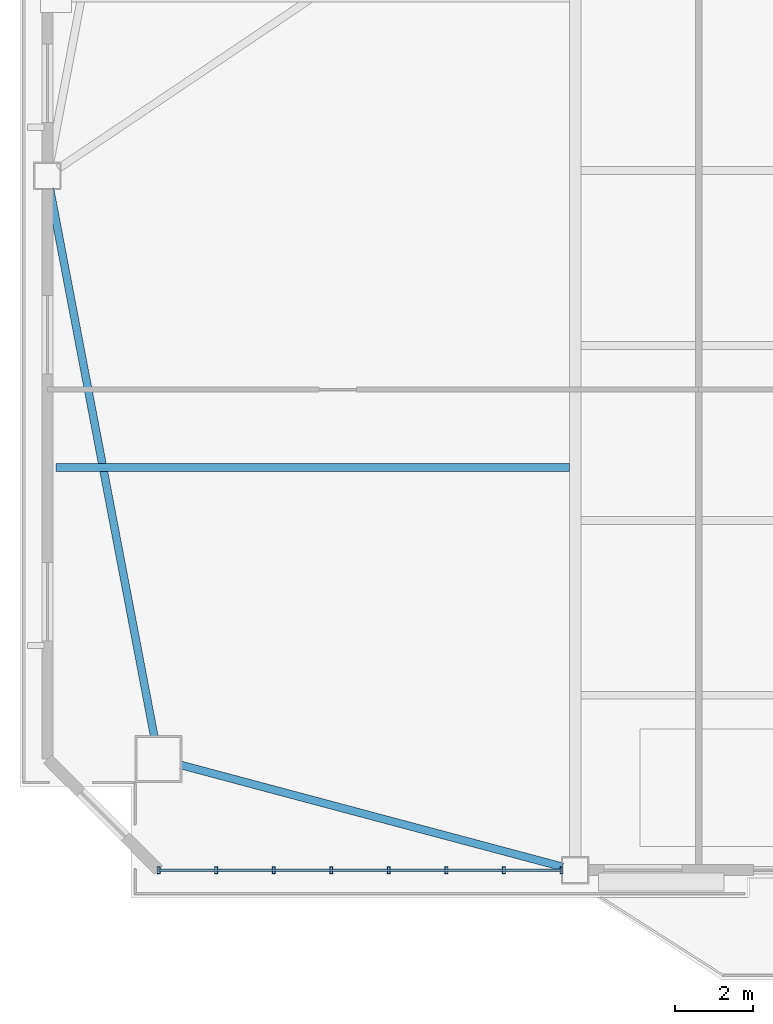
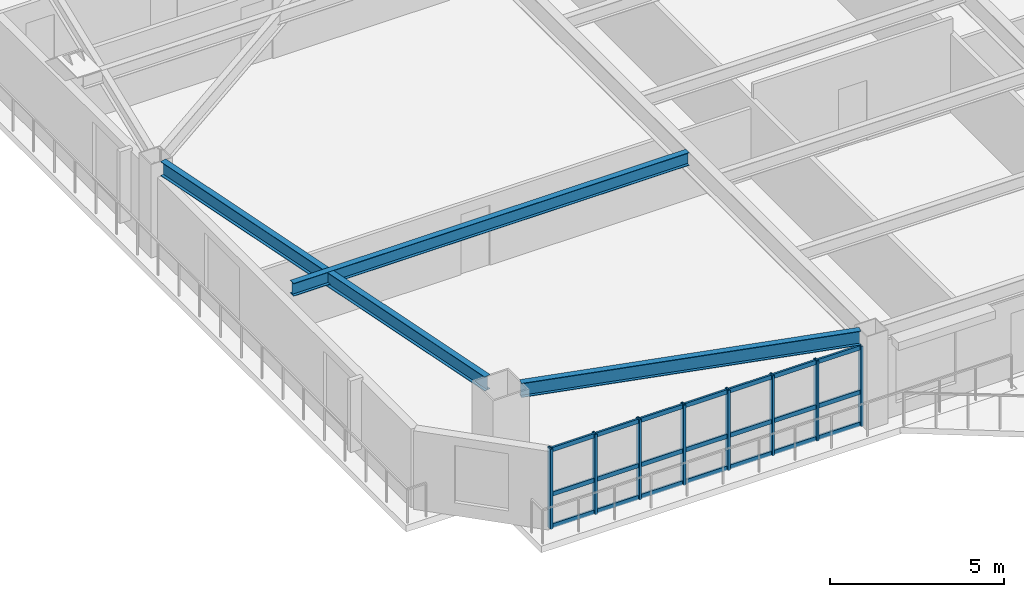
# One storey, part 2 of 17: 11 members, 3 beams, 1 element without a shape of its own.
"""IFC4 building model written with IfcOpenShell, lengths in metres."""

from ifc_helpers import new_model, si_unit, direction, frame, origin, origin_2d, place, context, subcontext, project, spatial, hollow_rectangle, i_section, extrude, source, transform, mapped, material, layer, layer_set, material_profile, profile_set, type_object, element, aggregate, save


model = new_model("IFC4")

# Units and contexts
model_context = context("Model", 3, precision=1e-05, world=origin(), true_north=direction((0.0, 1.0)))
body_context = subcontext(model_context, "Body", "Model", "MODEL_VIEW")
ifc_project = project(units=[si_unit("LENGTHUNIT", "METRE"), si_unit("AREAUNIT", "SQUARE_METRE"), si_unit("VOLUMEUNIT", "CUBIC_METRE"), si_unit("PLANEANGLEUNIT", "RADIAN"), si_unit("MASSUNIT", "GRAM", prefix="KILO")], contexts=[model_context])

# Site, building, storey
site_placement = place(None, origin())
site = spatial("IfcSite", under=ifc_project, at=site_placement, CompositionType="ELEMENT")
building_placement = place(site_placement, origin())
building = spatial("IfcBuilding", under=site, at=building_placement, Name="Giltprow Tower", CompositionType="ELEMENT")
storey_placement = place(building_placement, frame((0.0, 0.0, 195.699951171875)))
storey = spatial("IfcBuildingStorey", under=building, at=storey_placement, Name="L49", CompositionType="ELEMENT", Elevation=195.699951171875)

# Beams
ifc_material_1 = material(Name="Structural steel Q355B", Category="steel")
ifc_material_profile_1 = material_profile(ifc_material_1, i_section(OverallWidth=0.199951171875, OverallDepth=0.5, WebThickness=0.010009765625, FlangeThickness=0.01611328125, at=origin_2d()), Name="HN 500x200x10x16")
ifc_profile_set_1 = profile_set([ifc_material_profile_1], Name="Structural steel Q355B")
beam_type_1 = type_object("IfcBeamType", Name="BM-SPAN-HN500", PredefinedType="SPANDREL", material=ifc_profile_set_1)
shared_shape_1 = source(origin(), body_context, "Body", "SweptSolid", [
    extrude(i_section(OverallWidth=0.199951171875, OverallDepth=0.5, WebThickness=0.010009765625, FlangeThickness=0.01611328125, at=origin_2d()), origin(), (0.0, 0.0, 1.0), 10.077392578125),
])
beam_1_placement = place(storey_placement, frame((9.7890625, 13.364013671875, 3.02001953125), z_axis=(0.96619994808, -0.257793832995, 0.0), x_axis=(0.257793832995, 0.96619994808, 0.0)))
element("IfcBeam", 1, at=beam_1_placement, inside=storey, type_object=beam_type_1, Name="L49 Perimeter Spandrel Beam MC_SW-S1", PredefinedType="SPANDREL", context=body_context, shape_type="MappedRepresentation", body=[
    mapped(shared_shape_1, transform((0.0, 0.0, 0.0), x_axis=(1.0, 0.0, 0.0), y_axis=(0.0, 1.0, 0.0), z_axis=(0.0, 0.0, 1.0), scale=1.0)),
])
shared_shape_2 = source(origin(), body_context, "Body", "SweptSolid", [
    extrude(i_section(OverallWidth=0.199951171875, OverallDepth=0.5, WebThickness=0.010009765625, FlangeThickness=0.01611328125, at=origin_2d()), origin(), (0.0, 0.0, 1.0), 14.222412109375),
])
beam_2_placement = place(storey_placement, frame((6.451904296875, 28.06103515625, 3.02001953125), z_axis=(0.187178367581, -0.982325943213, 0.0), x_axis=(0.982325943213, 0.187178367581, 0.0)))
element("IfcBeam", 2, at=beam_2_placement, inside=storey, type_object=beam_type_1, Name="L49 Perimeter Spandrel Beam W_MID-MC_SW", PredefinedType="SPANDREL", context=body_context, shape_type="MappedRepresentation", body=[
    mapped(shared_shape_2, transform((0.0, 0.0, 0.0), x_axis=(1.0, 0.0, 0.0), y_axis=(0.0, 1.0, 0.0), z_axis=(0.0, 0.0, 1.0), scale=1.0)),
])
ifc_material_profile_2 = material_profile(ifc_material_1, i_section(OverallWidth=0.199951171875, OverallDepth=0.449951171875, WebThickness=0.009033203125, FlangeThickness=0.013916015625, at=origin_2d()), Name="HN 450x200x9x14")
ifc_profile_set_2 = profile_set([ifc_material_profile_2], Name="Structural steel Q355B")
beam_type_2 = type_object("IfcBeamType", Name="BM-JOIST-HN450", PredefinedType="JOIST", material=ifc_profile_set_2)
shared_shape_3 = source(origin(), body_context, "Body", "SweptSolid", [
    extrude(i_section(OverallWidth=0.199951171875, OverallDepth=0.449951171875, WebThickness=0.009033203125, FlangeThickness=0.013916015625, at=origin_2d()), origin(), (0.0, 0.0, 1.0), 13.09619140625),
])
beam_3_placement = place(storey_placement, frame((6.60888671875, 20.952880859375, 3.045166015625), z_axis=(1.0, 0.0, 0.0), x_axis=(0.0, 1.0, 0.0)))
element("IfcBeam", 3, at=beam_3_placement, inside=storey, type_object=beam_type_2, Name="L49 West Wing Floor Joist 1", PredefinedType="JOIST", context=body_context, shape_type="MappedRepresentation", body=[
    mapped(shared_shape_3, transform((0.0, 0.0, 0.0), x_axis=(1.0, 0.0, 0.0), y_axis=(0.0, 1.0, 0.0), z_axis=(0.0, 0.0, 1.0), scale=1.0)),
])

# Curtain wall, members
ifc_material_2 = material(Name="Anodized bronze", Category="metal")
ifc_layer = layer(ifc_material_2, 0.179931640625, Name="Anodized bronze")
ifc_layer_set = layer_set([ifc_layer], Name="Anodized bronze")
curtain_wall_type = type_object("IfcCurtainWallType", Name="CW-HTL-BRONZE", PredefinedType="NOTDEFINED", material=ifc_layer_set)
curtain_wall_placement = place(storey_placement, origin())
curtain_wall = element("IfcCurtainWall", 4, at=curtain_wall_placement, inside=storey, type_object=curtain_wall_type, Name="L49 South Recessed Curtain Wall 1", PredefinedType="NOTDEFINED")
ifc_material_profile_3 = material_profile(ifc_material_2, hollow_rectangle(XDim=0.074951171875, YDim=0.179931640625, WallThickness=0.008056640625, at=origin_2d()), Name="RHS 180x75x8")
ifc_profile_set_3 = profile_set([ifc_material_profile_3], Name="Anodized bronze")
member_type_1 = type_object("IfcMemberType", Name="CW-MULLION-180x75", PredefinedType="MULLION", material=ifc_profile_set_3)
shared_shape_4 = source(origin(), body_context, "Body", "SweptSolid", [
    extrude(hollow_rectangle(XDim=0.074951171875, YDim=0.179931640625, WallThickness=0.008056640625, at=origin_2d()), origin(), (0.0, 0.0, 1.0), 2.80517578125),
])
member_1_placement = place(storey_placement, frame((9.22412109375, 10.679931640625, -0.02001953125), z_axis=(0.0, 0.0, 1.0), x_axis=(1.0, 0.0, 0.0)))
member_1 = element("IfcMember", 5, at=member_1_placement, type_object=member_type_1, Name="L49 South Recessed Curtain Wall 1 Mullion 1", PredefinedType="MULLION", context=body_context, shape_type="MappedRepresentation", body=[
    mapped(shared_shape_4, transform((0.0, 0.0, 0.0), x_axis=(1.0, 0.0, 0.0), y_axis=(0.0, 1.0, 0.0), z_axis=(0.0, 0.0, 1.0), scale=1.0)),
])
member_2_placement = place(storey_placement, frame((10.69189453125, 10.679931640625, -0.02001953125), z_axis=(0.0, 0.0, 1.0), x_axis=(1.0, 0.0, 0.0)))
member_2 = element("IfcMember", 6, at=member_2_placement, type_object=member_type_1, Name="L49 South Recessed Curtain Wall 1 Mullion 2", PredefinedType="MULLION", context=body_context, shape_type="MappedRepresentation", body=[
    mapped(shared_shape_4, transform((0.0, 0.0, 0.0), x_axis=(1.0, 0.0, 0.0), y_axis=(0.0, 1.0, 0.0), z_axis=(0.0, 0.0, 1.0), scale=1.0)),
])
member_3_placement = place(storey_placement, frame((12.159912109375, 10.679931640625, -0.02001953125), z_axis=(0.0, 0.0, 1.0), x_axis=(1.0, 0.0, 0.0)))
member_3 = element("IfcMember", 7, at=member_3_placement, type_object=member_type_1, Name="L49 South Recessed Curtain Wall 1 Mullion 3", PredefinedType="MULLION", context=body_context, shape_type="MappedRepresentation", body=[
    mapped(shared_shape_4, transform((0.0, 0.0, 0.0), x_axis=(1.0, 0.0, 0.0), y_axis=(0.0, 1.0, 0.0), z_axis=(0.0, 0.0, 1.0), scale=1.0)),
])
member_4_placement = place(storey_placement, frame((13.6279296875, 10.679931640625, -0.02001953125), z_axis=(0.0, 0.0, 1.0), x_axis=(1.0, 0.0, 0.0)))
member_4 = element("IfcMember", 8, at=member_4_placement, type_object=member_type_1, Name="L49 South Recessed Curtain Wall 1 Mullion 4", PredefinedType="MULLION", context=body_context, shape_type="MappedRepresentation", body=[
    mapped(shared_shape_4, transform((0.0, 0.0, 0.0), x_axis=(1.0, 0.0, 0.0), y_axis=(0.0, 1.0, 0.0), z_axis=(0.0, 0.0, 1.0), scale=1.0)),
])
member_5_placement = place(storey_placement, frame((15.095947265625, 10.679931640625, -0.02001953125), z_axis=(0.0, 0.0, 1.0), x_axis=(1.0, 0.0, 0.0)))
member_5 = element("IfcMember", 9, at=member_5_placement, type_object=member_type_1, Name="L49 South Recessed Curtain Wall 1 Mullion 5", PredefinedType="MULLION", context=body_context, shape_type="MappedRepresentation", body=[
    mapped(shared_shape_4, transform((0.0, 0.0, 0.0), x_axis=(1.0, 0.0, 0.0), y_axis=(0.0, 1.0, 0.0), z_axis=(0.0, 0.0, 1.0), scale=1.0)),
])
member_6_placement = place(storey_placement, frame((16.56396484375, 10.679931640625, -0.02001953125), z_axis=(0.0, 0.0, 1.0), x_axis=(1.0, 0.0, 0.0)))
member_6 = element("IfcMember", 10, at=member_6_placement, type_object=member_type_1, Name="L49 South Recessed Curtain Wall 1 Mullion 6", PredefinedType="MULLION", context=body_context, shape_type="MappedRepresentation", body=[
    mapped(shared_shape_4, transform((0.0, 0.0, 0.0), x_axis=(1.0, 0.0, 0.0), y_axis=(0.0, 1.0, 0.0), z_axis=(0.0, 0.0, 1.0), scale=1.0)),
])
member_7_placement = place(storey_placement, frame((18.031982421875, 10.679931640625, -0.02001953125), z_axis=(0.0, 0.0, 1.0), x_axis=(1.0, 0.0, 0.0)))
member_7 = element("IfcMember", 11, at=member_7_placement, type_object=member_type_1, Name="L49 South Recessed Curtain Wall 1 Mullion 7", PredefinedType="MULLION", context=body_context, shape_type="MappedRepresentation", body=[
    mapped(shared_shape_4, transform((0.0, 0.0, 0.0), x_axis=(1.0, 0.0, 0.0), y_axis=(0.0, 1.0, 0.0), z_axis=(0.0, 0.0, 1.0), scale=1.0)),
])
member_8_placement = place(storey_placement, frame((19.5, 10.679931640625, -0.02001953125), z_axis=(0.0, 0.0, 1.0), x_axis=(1.0, 0.0, 0.0)))
member_8 = element("IfcMember", 12, at=member_8_placement, type_object=member_type_1, Name="L49 South Recessed Curtain Wall 1 Mullion 8", PredefinedType="MULLION", context=body_context, shape_type="MappedRepresentation", body=[
    mapped(shared_shape_4, transform((0.0, 0.0, 0.0), x_axis=(1.0, 0.0, 0.0), y_axis=(0.0, 1.0, 0.0), z_axis=(0.0, 0.0, 1.0), scale=1.0)),
])
ifc_material_profile_4 = material_profile(ifc_material_2, hollow_rectangle(XDim=0.06494140625, YDim=0.14990234375, WallThickness=0.006103515625, at=origin_2d()), Name="RHS 150x65x6")
ifc_profile_set_4 = profile_set([ifc_material_profile_4], Name="Anodized bronze")
member_type_2 = type_object("IfcMemberType", Name="CW-TRANSOM-150x65", PredefinedType="USERDEFINED", material=ifc_profile_set_4)
shared_shape_5 = source(origin(), body_context, "Body", "SweptSolid", [
    extrude(hollow_rectangle(XDim=0.06494140625, YDim=0.14990234375, WallThickness=0.006103515625, at=origin_2d()), origin(), (0.0, 0.0, 1.0), 10.27587890625),
])
member_9_placement = place(storey_placement, frame((9.22412109375, 10.679931640625, 0.0400390625), z_axis=(1.0, 0.0, 0.0), x_axis=(0.0, 1.0, 0.0)))
member_9 = element("IfcMember", 13, at=member_9_placement, type_object=member_type_2, Name="L49 South Recessed Curtain Wall 1 Transom 1", ObjectType="TRANSOM", PredefinedType="USERDEFINED", context=body_context, shape_type="MappedRepresentation", body=[
    mapped(shared_shape_5, transform((0.0, 0.0, 0.0), x_axis=(1.0, 0.0, 0.0), y_axis=(0.0, 1.0, 0.0), z_axis=(0.0, 0.0, 1.0), scale=1.0)),
])
member_10_placement = place(storey_placement, frame((9.22412109375, 10.679931640625, 1.155029296875), z_axis=(1.0, 0.0, 0.0), x_axis=(0.0, 1.0, 0.0)))
member_10 = element("IfcMember", 14, at=member_10_placement, type_object=member_type_2, Name="L49 South Recessed Curtain Wall 1 Transom 2", ObjectType="TRANSOM", PredefinedType="USERDEFINED", context=body_context, shape_type="MappedRepresentation", body=[
    mapped(shared_shape_5, transform((0.0, 0.0, 0.0), x_axis=(1.0, 0.0, 0.0), y_axis=(0.0, 1.0, 0.0), z_axis=(0.0, 0.0, 1.0), scale=1.0)),
])
member_11_placement = place(storey_placement, frame((9.22412109375, 10.679931640625, 2.7099609375), z_axis=(1.0, 0.0, 0.0), x_axis=(0.0, 1.0, 0.0)))
member_11 = element("IfcMember", 15, at=member_11_placement, type_object=member_type_2, Name="L49 South Recessed Curtain Wall 1 Transom 3", ObjectType="TRANSOM", PredefinedType="USERDEFINED", context=body_context, shape_type="MappedRepresentation", body=[
    mapped(shared_shape_5, transform((0.0, 0.0, 0.0), x_axis=(1.0, 0.0, 0.0), y_axis=(0.0, 1.0, 0.0), z_axis=(0.0, 0.0, 1.0), scale=1.0)),
])
aggregate(curtain_wall, [member_1, member_2, member_3, member_4, member_5, member_6, member_7, member_8, member_9, member_10, member_11])

save(model, "model.ifc")
